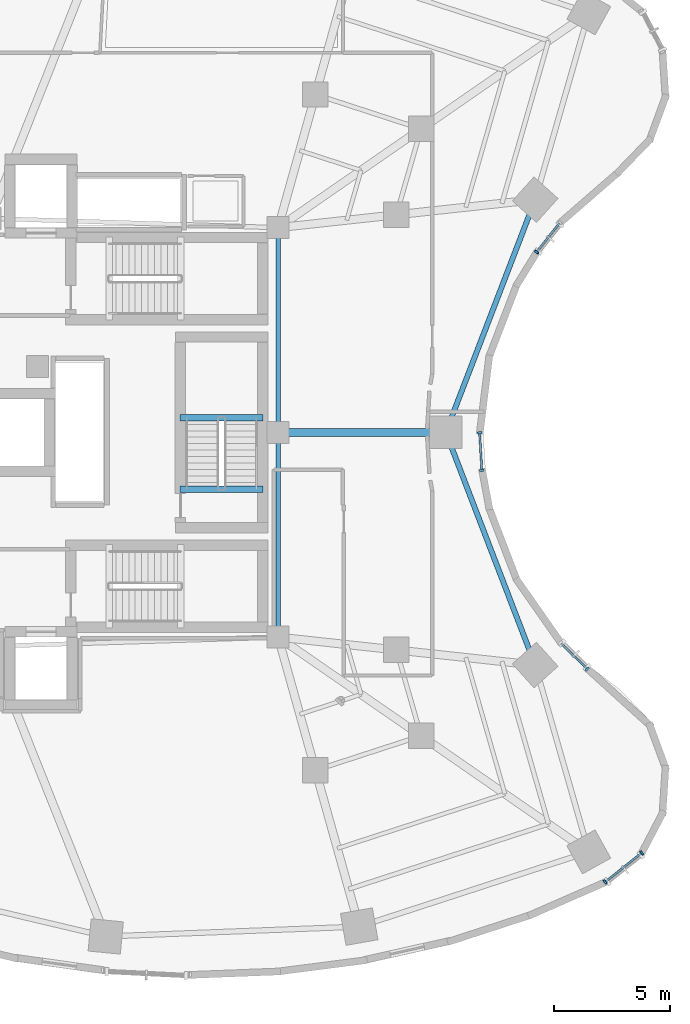
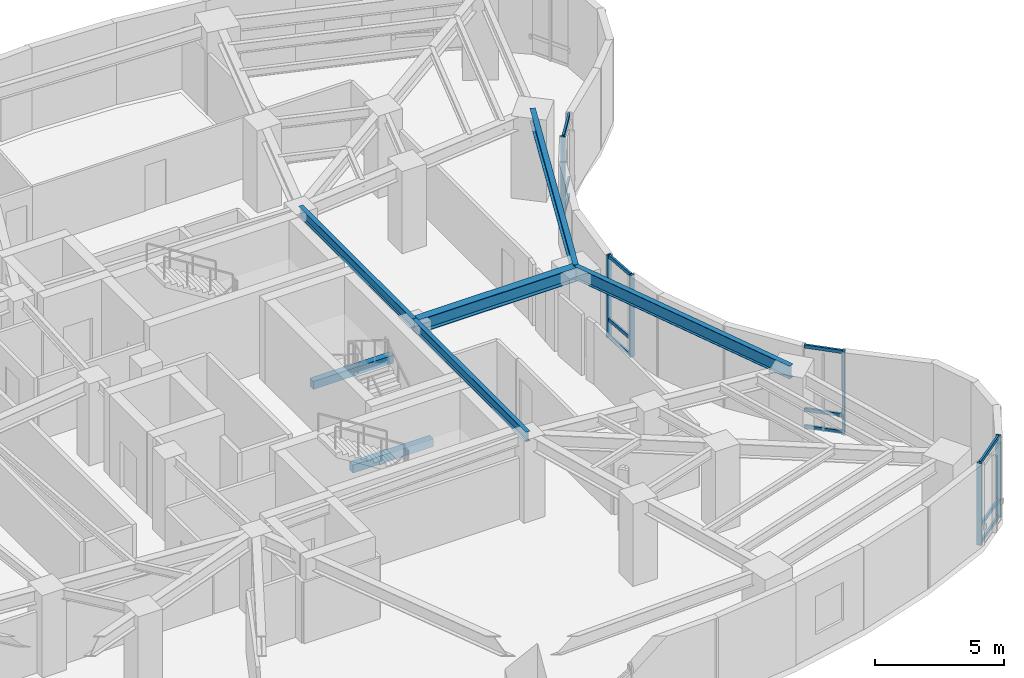
# One storey, part 4 of 14: 18 members, 7 beams, 4 elements without a shape of their own.
"""IFC4 building model written with IfcOpenShell, lengths in metres."""

from ifc_helpers import new_model, si_unit, direction, frame, origin, origin_2d, place, context, subcontext, project, spatial, rectangle, i_section, extrude, material, layer, layer_set, material_profile, profile_set, type_object, element, aggregate, save


model = new_model("IFC4")

# Units and contexts
model_context = context("Model", 3, precision=1e-05, world=origin(), true_north=direction((0.0, 1.0)))
body_context = subcontext(model_context, "Body", "Model", "MODEL_VIEW")
ifc_project = project(units=[si_unit("LENGTHUNIT", "METRE"), si_unit("AREAUNIT", "SQUARE_METRE"), si_unit("VOLUMEUNIT", "CUBIC_METRE"), si_unit("PLANEANGLEUNIT", "RADIAN"), si_unit("MASSUNIT", "GRAM", prefix="KILO")], contexts=[model_context])

# Site, building, storey
site_placement = place(None, origin())
site = spatial("IfcSite", under=ifc_project, at=site_placement, CompositionType="ELEMENT")
building_placement = place(site_placement, origin())
building = spatial("IfcBuilding", under=site, at=building_placement, Name="Korentha Bioscience Tower", CompositionType="ELEMENT")
storey_placement = place(building_placement, frame((0.0, 0.0, 63.60009765625)))
storey = spatial("IfcBuildingStorey", under=building, at=storey_placement, Name="L14", CompositionType="ELEMENT", Elevation=63.60009765625)

# Beams
ifc_material_1 = material(Name="Concrete C50", Category="concrete")
ifc_material_profile_1 = material_profile(ifc_material_1, rectangle(XDim=0.280029296875, YDim=0.3798828125, at=origin_2d()), Name="Concrete C50")
ifc_profile_set_1 = profile_set([ifc_material_profile_1], Name="Concrete C50 (ST-HB380)")
beam_type_1 = type_object("IfcBeamType", Name="Concrete Stair Header Beam RC 280x380", PredefinedType="BEAM", material=ifc_profile_set_1)
for number, where, z_axis, x_axis, name in (
    (1, (36.89990234375, 24.550048828125, -0.190185546875), (-1.0, 0.0, 0.0), (0.0, -1.0, 0.0), "L14 ST-3 Concrete Stair Header Beam"),
    (2, (36.89990234375, 27.6298828125, 1.909912109375), (-1.0, 0.0, 0.0), (0.0, -1.0, 0.0), "L14 ST-3 Half-Landing Header Beam 1"),
):
    element("IfcBeam", number, at=place(storey_placement, frame(where, z_axis=z_axis, x_axis=x_axis)), inside=storey, type_object=beam_type_1, Name=name, PredefinedType="BEAM", context=body_context, shape_type="SweptSolid", body=[
        extrude(rectangle(XDim=0.280029296875, YDim=0.3798828125, at=origin_2d()), origin(), (0.0, 0.0, 1.0), 3.599853515625),
    ])
ifc_material_2 = material(Name="Steel S355", Category="steel")
ifc_material_profile_2 = material_profile(ifc_material_2, i_section(OverallWidth=0.18994140625, OverallDepth=0.45703125, WebThickness=0.009033203125, FlangeThickness=0.014404296875, at=origin_2d()), Name="Steel S355")
ifc_profile_set_2 = profile_set([ifc_material_profile_2], Name="Steel S355 (MB-460)")
beam_type_2 = type_object("IfcBeamType", Name="Mid-Ring Tie Girder W460x74", PredefinedType="BEAM", material=ifc_profile_set_2)
for number, where, z_axis, x_axis, name in (
    (3, (37.550048828125, 18.14990234375, 3.67138671875), (0.0, 1.0, 0.0), (-1.0, 0.0, 0.0), "L14 Core Ring Tie Girder 06"),
    (4, (37.550048828125, 27.0, 3.67138671875), (0.0, 1.0, 0.0), (-1.0, 0.0, 0.0), "L14 Core Ring Tie Girder 07"),
):
    element("IfcBeam", number, at=place(storey_placement, frame(where, z_axis=z_axis, x_axis=x_axis)), inside=storey, type_object=beam_type_2, Name=name, PredefinedType="BEAM", context=body_context, shape_type="SweptSolid", body=[
        extrude(i_section(OverallWidth=0.18994140625, OverallDepth=0.45703125, WebThickness=0.009033203125, FlangeThickness=0.014404296875, at=origin_2d()), origin(), (0.0, 0.0, 1.0), 8.85009765625),
    ])

# Curtain wall, members
ifc_material_3 = material(Name="Thermally Broken Aluminium Frame", Category="aluminium")
ifc_layer_1 = layer(ifc_material_3, 0.219970703125, Name="Thermally Broken Aluminium Frame")
ifc_layer_set_1 = layer_set([ifc_layer_1], Name="Thermally Broken Aluminium Frame (CW-T2)")
curtain_wall_type_1 = type_object("IfcCurtainWallType", Name="Solar-Screened Lab Unitised Curtain Wall CW-T2", PredefinedType="USERDEFINED", material=ifc_layer_set_1)
curtain_wall_1_placement = place(storey_placement, origin())
curtain_wall_1 = element("IfcCurtainWall", 5, at=curtain_wall_1_placement, inside=storey, type_object=curtain_wall_type_1, Name="L14 Curtain Wall 37", ObjectType="UNITISED", PredefinedType="USERDEFINED")
ifc_material_4 = material(Name="Anodised Aluminium 6063-T6", Category="aluminium")
ifc_material_profile_3 = material_profile(ifc_material_4, rectangle(XDim=0.090087890625, YDim=0.199951171875, at=origin_2d()), Name="Anodised Aluminium 6063-T6")
ifc_profile_set_3 = profile_set([ifc_material_profile_3], Name="Anodised Aluminium 6063-T6 (CW-MUL)")
member_type_1 = type_object("IfcMemberType", Name="Mullion RECT 90x200", PredefinedType="MULLION", material=ifc_profile_set_3)
member_1_placement = place(storey_placement, frame((51.6865234375, 7.56298828125, 0.0), z_axis=(0.0, 0.0, 1.0), x_axis=(0.782287851332, 0.62291710336, 0.0)))
member_1 = element("IfcMember", 6, at=member_1_placement, type_object=member_type_1, Name="CW-L14-37 Mullion 1", PredefinedType="MULLION", context=body_context, shape_type="SweptSolid", body=[
    extrude(rectangle(XDim=0.090087890625, YDim=0.199951171875, at=origin_2d()), origin(), (0.0, 0.0, 1.0), 3.89990234375),
])
member_2_placement = place(storey_placement, frame((53.264892578125, 8.81982421875, 0.0), z_axis=(0.0, 0.0, 1.0), x_axis=(0.782287851332, 0.62291710336, 0.0)))
member_2 = element("IfcMember", 7, at=member_2_placement, type_object=member_type_1, Name="CW-L14-37 Mullion 2", PredefinedType="MULLION", context=body_context, shape_type="SweptSolid", body=[
    extrude(rectangle(XDim=0.090087890625, YDim=0.199951171875, at=origin_2d()), origin(), (0.0, 0.0, 1.0), 3.89990234375),
])

# Curtain wall, member
curtain_wall_2_placement = place(storey_placement, origin())
curtain_wall_2 = element("IfcCurtainWall", 8, at=curtain_wall_2_placement, inside=storey, type_object=curtain_wall_type_1, Name="L14 Curtain Wall 43", ObjectType="UNITISED", PredefinedType="USERDEFINED")
member_3_placement = place(storey_placement, frame((50.913818359375, 16.76513671875, 0.0), z_axis=(0.0, 0.0, 1.0), x_axis=(-0.713279246754, 0.700879958445, 0.0)))
member_3 = element("IfcMember", 9, at=member_3_placement, type_object=member_type_1, Name="CW-L14-43 Mullion 1", PredefinedType="MULLION", context=body_context, shape_type="SweptSolid", body=[
    extrude(rectangle(XDim=0.090087890625, YDim=0.199951171875, at=origin_2d()), origin(), (0.0, 0.0, 1.0), 3.89990234375),
])

# Curtain wall, members
ifc_layer_2 = layer(ifc_material_3, 0.219970703125, Name="Thermally Broken Aluminium Frame")
ifc_layer_set_2 = layer_set([ifc_layer_2], Name="Thermally Broken Aluminium Frame (CW-T1)")
curtain_wall_type_2 = type_object("IfcCurtainWallType", Name="Standard Bioscience Lab Unitised Curtain Wall CW-T1", PredefinedType="USERDEFINED", material=ifc_layer_set_2)
curtain_wall_3_placement = place(storey_placement, origin())
curtain_wall_3 = element("IfcCurtainWall", 10, at=curtain_wall_3_placement, inside=storey, type_object=curtain_wall_type_2, Name="L14 Curtain Wall 49", ObjectType="UNITISED", PredefinedType="USERDEFINED")
member_4_placement = place(storey_placement, frame((46.355712890625, 25.3603515625, 0.0), z_axis=(0.0, 0.0, 1.0), x_axis=(-0.061008272998, 0.998137260413, 0.0)))
member_4 = element("IfcMember", 11, at=member_4_placement, type_object=member_type_1, Name="CW-L14-49 Mullion 1", PredefinedType="MULLION", context=body_context, shape_type="SweptSolid", body=[
    extrude(rectangle(XDim=0.090087890625, YDim=0.199951171875, at=origin_2d()), origin(), (0.0, 0.0, 1.0), 3.89990234375),
])
member_5_placement = place(storey_placement, frame((46.25634765625, 26.985107421875, 0.0), z_axis=(0.0, 0.0, 1.0), x_axis=(-0.061008272998, 0.998137260413, 0.0)))
member_5 = element("IfcMember", 12, at=member_5_placement, type_object=member_type_1, Name="CW-L14-49 Mullion 2", PredefinedType="MULLION", context=body_context, shape_type="SweptSolid", body=[
    extrude(rectangle(XDim=0.090087890625, YDim=0.199951171875, at=origin_2d()), origin(), (0.0, 0.0, 1.0), 3.89990234375),
])

# Curtain wall, member
curtain_wall_4_placement = place(storey_placement, origin())
curtain_wall_4 = element("IfcCurtainWall", 13, at=curtain_wall_4_placement, inside=storey, type_object=curtain_wall_type_1, Name="L14 Curtain Wall 55", ObjectType="UNITISED", PredefinedType="USERDEFINED")
member_6_placement = place(storey_placement, frame((48.719482421875, 34.7978515625, 0.0), z_axis=(0.0, 0.0, 1.0), x_axis=(0.622520324648, 0.782603632371, 0.0)))
member_6 = element("IfcMember", 14, at=member_6_placement, type_object=member_type_1, Name="CW-L14-55 Mullion 1", PredefinedType="MULLION", context=body_context, shape_type="SweptSolid", body=[
    extrude(rectangle(XDim=0.090087890625, YDim=0.199951171875, at=origin_2d()), origin(), (0.0, 0.0, 1.0), 3.89990234375),
])

# Beams
ifc_material_profile_4 = material_profile(ifc_material_2, i_section(OverallWidth=0.22802734375, OverallDepth=0.60791015625, WebThickness=0.01123046875, FlangeThickness=0.017333984375, at=origin_2d()), Name="Steel S355")
ifc_profile_set_4 = profile_set([ifc_material_profile_4], Name="Steel S355 (SB-610)")
beam_type_3 = type_object("IfcBeamType", Name="Perimeter Ring Spandrel Girder W610x113", PredefinedType="SPANDREL", material=ifc_profile_set_4)
for number, where, z_axis, x_axis, name in (
    (15, (48.661865234375, 16.939208984375, 3.595947265625), (-0.358473520253, 0.93353989485, 0.0), (-0.93353989485, -0.358473520253, 0.0), "L14 Perimeter Spandrel Girder 14"),
    (16, (44.798583984375, 27.0, 3.595947265625), (0.358473520253, 0.93353989485, 0.0), (-0.93353989485, 0.358473520253, 0.0), "L14 Perimeter Spandrel Girder 15"),
):
    element("IfcBeam", number, at=place(storey_placement, frame(where, z_axis=z_axis, x_axis=x_axis)), inside=storey, type_object=beam_type_3, Name=name, PredefinedType="SPANDREL", context=body_context, shape_type="SweptSolid", body=[
        extrude(i_section(OverallWidth=0.22802734375, OverallDepth=0.60791015625, WebThickness=0.01123046875, FlangeThickness=0.017333984375, at=origin_2d()), origin(), (0.0, 0.0, 1.0), 10.777099609375),
    ])
ifc_material_profile_5 = material_profile(ifc_material_2, i_section(OverallWidth=0.35009765625, OverallDepth=0.64990234375, WebThickness=0.01611328125, FlangeThickness=0.02490234375, at=origin_2d()), Name="Steel S355")
ifc_profile_set_5 = profile_set([ifc_material_profile_5], Name="Steel S355 (RB-650)")
beam_type_4 = type_object("IfcBeamType", Name="Radial Laboratory Girder CVS 650x208", PredefinedType="BEAM", material=ifc_profile_set_5)
beam_placement = place(storey_placement, frame((37.550048828125, 27.0, 3.574951171875), z_axis=(1.0, 0.0, 0.0), x_axis=(0.0, 1.0, 0.0)))
element("IfcBeam", 17, at=beam_placement, inside=storey, type_object=beam_type_4, Name="L14 Radial Girder 15", PredefinedType="BEAM", context=body_context, shape_type="SweptSolid", body=[
    extrude(i_section(OverallWidth=0.35009765625, OverallDepth=0.64990234375, WebThickness=0.01611328125, FlangeThickness=0.02490234375, at=origin_2d()), origin(), (0.0, 0.0, 1.0), 7.24853515625),
])

# Member
ifc_material_profile_6 = material_profile(ifc_material_4, rectangle(XDim=0.090087890625, YDim=0.159912109375, at=origin_2d()), Name="Anodised Aluminium 6063-T6")
ifc_profile_set_6 = profile_set([ifc_material_profile_6], Name="Anodised Aluminium 6063-T6 (CW-TRN)")
member_type_2 = type_object("IfcMemberType", Name="Transom RECT 90x160", PredefinedType="USERDEFINED", material=ifc_profile_set_6)
member_7_placement = place(storey_placement, frame((51.7216796875, 7.591064453125, 0.044921875), z_axis=(0.78232471634, 0.622870803782, 0.0), x_axis=(-0.622870803782, 0.78232471634, 0.0)))
member_7 = element("IfcMember", 18, at=member_7_placement, type_object=member_type_2, Name="CW-L14-37 Bay 1 Transom 1", ObjectType="TRANSOM", PredefinedType="USERDEFINED", context=body_context, shape_type="SweptSolid", body=[
    extrude(rectangle(XDim=0.090087890625, YDim=0.159912109375, at=origin_2d()), origin(), (0.0, 0.0, 1.0), 1.927734375),
])

member_8_placement = place(storey_placement, frame((51.7216796875, 7.591064453125, 0.849853515625), z_axis=(0.78232471634, 0.622870803782, 0.0), x_axis=(-0.622870803782, 0.78232471634, 0.0)))
member_8 = element("IfcMember", 19, at=member_8_placement, type_object=member_type_2, Name="CW-L14-37 Bay 1 Transom 2", ObjectType="TRANSOM", PredefinedType="USERDEFINED", context=body_context, shape_type="SweptSolid", body=[
    extrude(rectangle(XDim=0.090087890625, YDim=0.159912109375, at=origin_2d()), origin(), (0.0, 0.0, 1.0), 1.927734375),
])

member_9_placement = place(storey_placement, frame((51.7216796875, 7.591064453125, 3.85498046875), z_axis=(0.78232471634, 0.622870803782, 0.0), x_axis=(-0.622870803782, 0.78232471634, 0.0)))
member_9 = element("IfcMember", 20, at=member_9_placement, type_object=member_type_2, Name="CW-L14-37 Bay 1 Transom 3", ObjectType="TRANSOM", PredefinedType="USERDEFINED", context=body_context, shape_type="SweptSolid", body=[
    extrude(rectangle(XDim=0.090087890625, YDim=0.159912109375, at=origin_2d()), origin(), (0.0, 0.0, 1.0), 1.927734375),
])

aggregate(curtain_wall_1, [member_1, member_2, member_7, member_8, member_9])

member_10_placement = place(storey_placement, frame((50.8818359375, 16.796875, 0.044921875), z_axis=(-0.713350356322, 0.700807583531, 0.0), x_axis=(-0.700807583531, -0.713350356322, 0.0)))
member_10 = element("IfcMember", 21, at=member_10_placement, type_object=member_type_2, Name="CW-L14-43 Bay 1 Transom 1", ObjectType="TRANSOM", PredefinedType="USERDEFINED", context=body_context, shape_type="SweptSolid", body=[
    extrude(rectangle(XDim=0.090087890625, YDim=0.159912109375, at=origin_2d()), origin(), (0.0, 0.0, 1.0), 1.53759765625),
])

member_11_placement = place(storey_placement, frame((50.8818359375, 16.796875, 0.849853515625), z_axis=(-0.713350356322, 0.700807583531, 0.0), x_axis=(-0.700807583531, -0.713350356322, 0.0)))
member_11 = element("IfcMember", 22, at=member_11_placement, type_object=member_type_2, Name="CW-L14-43 Bay 1 Transom 2", ObjectType="TRANSOM", PredefinedType="USERDEFINED", context=body_context, shape_type="SweptSolid", body=[
    extrude(rectangle(XDim=0.090087890625, YDim=0.159912109375, at=origin_2d()), origin(), (0.0, 0.0, 1.0), 1.53759765625),
])

member_12_placement = place(storey_placement, frame((50.8818359375, 16.796875, 3.85498046875), z_axis=(-0.713350356322, 0.700807583531, 0.0), x_axis=(-0.700807583531, -0.713350356322, 0.0)))
member_12 = element("IfcMember", 23, at=member_12_placement, type_object=member_type_2, Name="CW-L14-43 Bay 1 Transom 3", ObjectType="TRANSOM", PredefinedType="USERDEFINED", context=body_context, shape_type="SweptSolid", body=[
    extrude(rectangle(XDim=0.090087890625, YDim=0.159912109375, at=origin_2d()), origin(), (0.0, 0.0, 1.0), 1.53759765625),
])

aggregate(curtain_wall_2, [member_3, member_10, member_11, member_12])

member_13_placement = place(storey_placement, frame((46.352783203125, 25.4052734375, 0.044921875), z_axis=(-0.060964804815, 0.998139916331, 0.0), x_axis=(-0.998139916331, -0.060964804815, 0.0)))
member_13 = element("IfcMember", 24, at=member_13_placement, type_object=member_type_2, Name="CW-L14-49 Bay 1 Transom 1", ObjectType="TRANSOM", PredefinedType="USERDEFINED", context=body_context, shape_type="SweptSolid", body=[
    extrude(rectangle(XDim=0.090087890625, YDim=0.159912109375, at=origin_2d()), origin(), (0.0, 0.0, 1.0), 1.537841796875),
])

member_14_placement = place(storey_placement, frame((46.352783203125, 25.4052734375, 0.849853515625), z_axis=(-0.060964804815, 0.998139916331, 0.0), x_axis=(-0.998139916331, -0.060964804815, 0.0)))
member_14 = element("IfcMember", 25, at=member_14_placement, type_object=member_type_2, Name="CW-L14-49 Bay 1 Transom 2", ObjectType="TRANSOM", PredefinedType="USERDEFINED", context=body_context, shape_type="SweptSolid", body=[
    extrude(rectangle(XDim=0.090087890625, YDim=0.159912109375, at=origin_2d()), origin(), (0.0, 0.0, 1.0), 1.537841796875),
])

member_15_placement = place(storey_placement, frame((46.352783203125, 25.4052734375, 3.85498046875), z_axis=(-0.060964804815, 0.998139916331, 0.0), x_axis=(-0.998139916331, -0.060964804815, 0.0)))
member_15 = element("IfcMember", 26, at=member_15_placement, type_object=member_type_2, Name="CW-L14-49 Bay 1 Transom 3", ObjectType="TRANSOM", PredefinedType="USERDEFINED", context=body_context, shape_type="SweptSolid", body=[
    extrude(rectangle(XDim=0.090087890625, YDim=0.159912109375, at=origin_2d()), origin(), (0.0, 0.0, 1.0), 1.537841796875),
])

aggregate(curtain_wall_3, [member_4, member_5, member_13, member_14, member_15])

member_16_placement = place(storey_placement, frame((48.74755859375, 34.8330078125, 0.044921875), z_axis=(0.622563336945, 0.782569416405, 0.0), x_axis=(-0.782569416405, 0.622563336945, 0.0)))
member_16 = element("IfcMember", 27, at=member_16_placement, type_object=member_type_2, Name="CW-L14-55 Bay 1 Transom 1", ObjectType="TRANSOM", PredefinedType="USERDEFINED", context=body_context, shape_type="SweptSolid", body=[
    extrude(rectangle(XDim=0.090087890625, YDim=0.159912109375, at=origin_2d()), origin(), (0.0, 0.0, 1.0), 1.5380859375),
])

member_17_placement = place(storey_placement, frame((48.74755859375, 34.8330078125, 0.849853515625), z_axis=(0.622563336945, 0.782569416405, 0.0), x_axis=(-0.782569416405, 0.622563336945, 0.0)))
member_17 = element("IfcMember", 28, at=member_17_placement, type_object=member_type_2, Name="CW-L14-55 Bay 1 Transom 2", ObjectType="TRANSOM", PredefinedType="USERDEFINED", context=body_context, shape_type="SweptSolid", body=[
    extrude(rectangle(XDim=0.090087890625, YDim=0.159912109375, at=origin_2d()), origin(), (0.0, 0.0, 1.0), 1.5380859375),
])

member_18_placement = place(storey_placement, frame((48.74755859375, 34.8330078125, 3.85498046875), z_axis=(0.622563336945, 0.782569416405, 0.0), x_axis=(-0.782569416405, 0.622563336945, 0.0)))
member_18 = element("IfcMember", 29, at=member_18_placement, type_object=member_type_2, Name="CW-L14-55 Bay 1 Transom 3", ObjectType="TRANSOM", PredefinedType="USERDEFINED", context=body_context, shape_type="SweptSolid", body=[
    extrude(rectangle(XDim=0.090087890625, YDim=0.159912109375, at=origin_2d()), origin(), (0.0, 0.0, 1.0), 1.5380859375),
])

aggregate(curtain_wall_4, [member_6, member_16, member_17, member_18])

save(model, "model.ifc")
